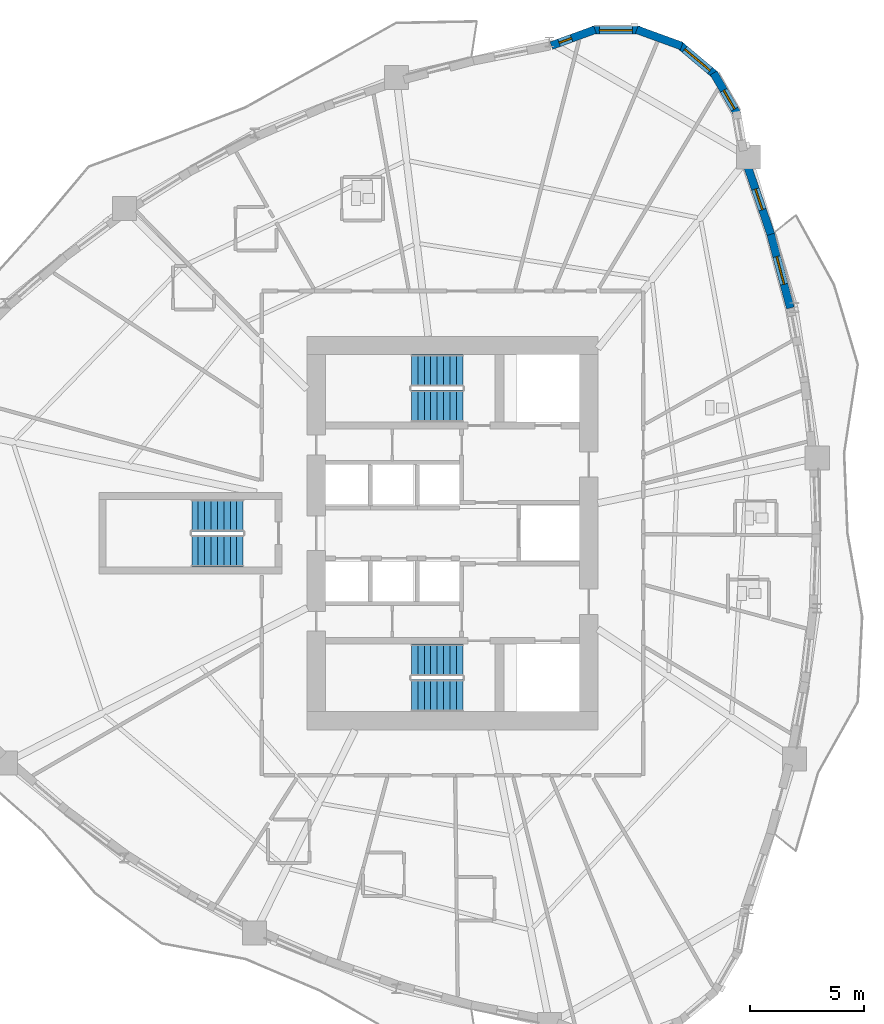
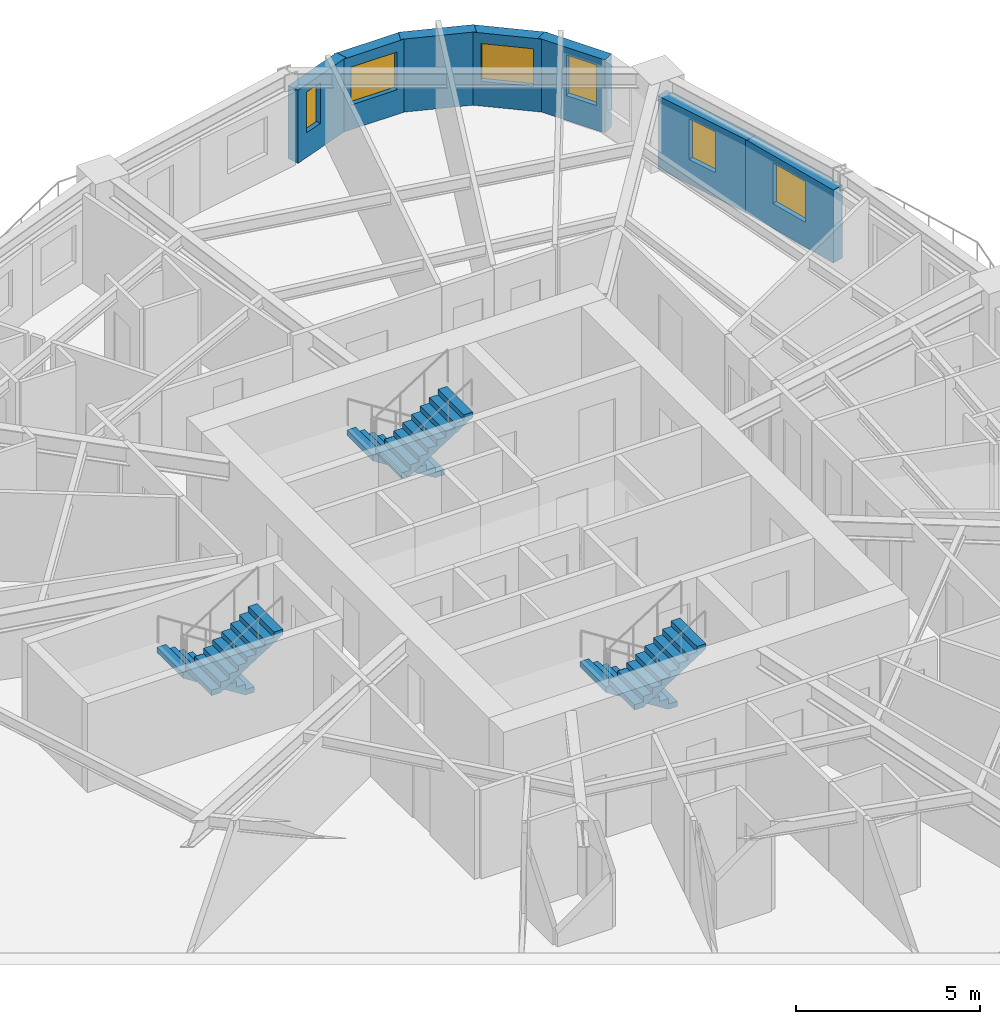
# One storey, part 9 of 13: 7 walls, 6 stair flights, 6 windows, 6 openings, 3 elements without a shape of their own.
"""IFC4 building model written with IfcOpenShell, lengths in metres."""

from ifc_helpers import new_model, si_unit, direction, frame, frame_2d, origin, place, context, subcontext, project, spatial, polyline, rectangle, outline, extrude, source, transform, mapped, material, layer, layer_set, type_object, element, fill, aggregate, save


model = new_model("IFC4")

# Units and contexts
model_context = context("Model", 3, precision=1e-05, world=origin(), true_north=direction((0.0, 1.0)))
body_context = subcontext(model_context, "Body", "Model", "MODEL_VIEW")
ifc_project = project(units=[si_unit("LENGTHUNIT", "METRE"), si_unit("AREAUNIT", "SQUARE_METRE"), si_unit("VOLUMEUNIT", "CUBIC_METRE"), si_unit("PLANEANGLEUNIT", "RADIAN"), si_unit("MASSUNIT", "GRAM", prefix="KILO")], contexts=[model_context])

# Site, building, storey
site_placement = place(None, origin())
site = spatial("IfcSite", under=ifc_project, at=site_placement, CompositionType="ELEMENT")
building_placement = place(site_placement, origin())
building = spatial("IfcBuilding", under=site, at=building_placement, Name="Qafzar Sky-Pleat Residences", CompositionType="ELEMENT")
storey_placement = place(building_placement, frame((0.0, 0.0, 49.39990234375)))
storey = spatial("IfcBuildingStorey", under=building, at=storey_placement, Name="L14", CompositionType="ELEMENT", Elevation=49.39990234375)

# Wall, opening, window
ifc_material_1 = material(Name="Precast concrete C40/50 with honed Riyadh limestone", Category="concrete")
ifc_layer = layer(ifc_material_1, 0.35009765625)
ifc_layer_set = layer_set([ifc_layer], Name="Precast concrete C40/50 with honed Riyadh limestone")
wall_type = type_object("IfcWallType", Name="WALL-EXT-350", PredefinedType="SOLIDWALL", material=ifc_layer_set)
wall_1_placement = place(storey_placement, frame((45.114501953125, 35.836669921875, 0.0), z_axis=(0.0, 0.0, 1.0), x_axis=(-0.257089380455, 0.966387629503, 0.0)))
wall_1 = element("IfcWall", 1, at=wall_1_placement, inside=storey, type_object=wall_type, Name="L14 Limestone Facade Wall 31", PredefinedType="SOLIDWALL", context=body_context, shape_type="SweptSolid", body=[
    extrude(rectangle(XDim=3.419677734375, YDim=0.35009765625, at=frame_2d((1.7099609375, 0.0))), origin(), (0.0, 0.0, 1.0), 2.420166015625),
])
opening_1_placement = place(wall_1_placement, frame((1.074951171875, 0.0, 0.820068359375)))
opening_1 = element("IfcOpeningElement", 2, at=opening_1_placement, cuts=wall_1, Name="Opening WN-11", PredefinedType="OPENING", context=body_context, shape_type="SweptSolid", body=[
    extrude(rectangle(XDim=1.25, YDim=1.35009765625, at=frame_2d((0.625, 0.675048828125))), frame((0.0, 0.18505859375, 0.0), z_axis=(0.0, -1.0, 0.0), x_axis=(1.0, 0.0, 0.0)), (0.0, 0.0, 1.0), 0.3701171875),
])
ifc_material_2 = material(Name="Solar-control low-E glass in bronze aluminium frame", Category="glass")
window_type_1 = type_object("IfcWindowType", Name="WIN-11", PartitioningType="SINGLE_PANEL", PredefinedType="WINDOW", material=ifc_material_2)
shared_shape_1 = source(origin(), body_context, "Body", "SweptSolid", [
    extrude(rectangle(XDim=1.25, YDim=1.35009765625, at=frame_2d((0.625, 0.675048828125))), frame((0.0, 0.030029296875, 0.0), z_axis=(0.0, -1.0, 0.0), x_axis=(1.0, 0.0, 0.0)), (0.0, 0.0, 1.0), 0.06005859375),
])
window_1_placement = place(opening_1_placement, origin())
window_1 = element("IfcWindow", 3, at=window_1_placement, inside=storey, type_object=window_type_1, Name="L14 Punched Facade Window 31", OverallHeight=1.35009765625, OverallWidth=1.25, PartitioningType="SINGLE_PANEL", PredefinedType="WINDOW", context=body_context, shape_type="MappedRepresentation", body=[
    mapped(shared_shape_1, transform((0.0, 0.0, 0.0), x_axis=(1.0, 0.0, 0.0), y_axis=(0.0, 1.0, 0.0), z_axis=(0.0, 0.0, 1.0), scale=1.0)),
])
fill(opening_1, window_1)

wall_2_placement = place(storey_placement, frame((44.260986328125, 39.05712890625, 0.0), z_axis=(0.0, 0.0, 1.0), x_axis=(-0.323605317701, 0.946192157205, 0.0)))
wall_2 = element("IfcWall", 4, at=wall_2_placement, inside=storey, type_object=wall_type, Name="L14 Limestone Facade Wall 32", PredefinedType="SOLIDWALL", context=body_context, shape_type="SweptSolid", body=[
    extrude(rectangle(XDim=3.21240234375, YDim=0.35009765625, at=frame_2d((1.606201171875, 0.0))), origin(), (0.0, 0.0, 1.0), 2.420166015625),
])
opening_2_placement = place(wall_2_placement, frame((1.13623046875, 0.0, 0.820068359375)))
opening_2 = element("IfcOpeningElement", 5, at=opening_2_placement, cuts=wall_2, Name="Opening WN-12", PredefinedType="OPENING", context=body_context, shape_type="SweptSolid", body=[
    extrude(rectangle(XDim=0.949951171875, YDim=1.35009765625, at=frame_2d((0.47509765625, 0.675048828125))), frame((0.0, 0.18505859375, 0.0), z_axis=(0.0, -1.0, 0.0), x_axis=(1.0, 0.0, 0.0)), (0.0, 0.0, 1.0), 0.3701171875),
])
window_type_2 = type_object("IfcWindowType", Name="WIN-12", PartitioningType="SINGLE_PANEL", PredefinedType="WINDOW", material=ifc_material_2)
shared_shape_2 = source(origin(), body_context, "Body", "SweptSolid", [
    extrude(rectangle(XDim=0.949951171875, YDim=1.35009765625, at=frame_2d((0.47509765625, 0.675048828125))), frame((0.0, 0.030029296875, 0.0), z_axis=(0.0, -1.0, 0.0), x_axis=(1.0, 0.0, 0.0)), (0.0, 0.0, 1.0), 0.06005859375),
])
window_2_placement = place(opening_2_placement, origin())
window_2 = element("IfcWindow", 6, at=window_2_placement, inside=storey, type_object=window_type_2, Name="L14 Punched Facade Window 32", OverallHeight=1.35009765625, OverallWidth=0.949951171875, PartitioningType="SINGLE_PANEL", PredefinedType="WINDOW", context=body_context, shape_type="MappedRepresentation", body=[
    mapped(shared_shape_2, transform((0.0, 0.0, 0.0), x_axis=(1.0, 0.0, 0.0), y_axis=(0.0, 1.0, 0.0), z_axis=(0.0, 0.0, 1.0), scale=1.0)),
])
fill(opening_2, window_2)

wall_3_placement = place(storey_placement, frame((42.8076171875, 44.300537109375, 0.0), z_axis=(0.0, 0.0, 1.0), x_axis=(-0.500046000743, 0.865998843614, 0.0)))
wall_3 = element("IfcWall", 7, at=wall_3_placement, inside=storey, type_object=wall_type, Name="L14 Limestone Facade Wall 34", PredefinedType="SOLIDWALL", context=body_context, shape_type="SweptSolid", body=[
    extrude(rectangle(XDim=2.090087890625, YDim=0.35009765625, at=frame_2d((1.044921875, 0.0))), origin(), (0.0, 0.0, 1.0), 2.420166015625),
])
opening_3_placement = place(wall_3_placement, frame((0.262939453125, 0.0, 0.820068359375)))
opening_3 = element("IfcOpeningElement", 8, at=opening_3_placement, cuts=wall_3, Name="Opening WN-12", PredefinedType="OPENING", context=body_context, shape_type="SweptSolid", body=[
    extrude(rectangle(XDim=0.949951171875, YDim=1.35009765625, at=frame_2d((0.47509765625, 0.675048828125))), frame((0.0, 0.18505859375, 0.0), z_axis=(0.0, -1.0, 0.0), x_axis=(1.0, 0.0, 0.0)), (0.0, 0.0, 1.0), 0.3701171875),
])
window_3_placement = place(opening_3_placement, origin())
window_3 = element("IfcWindow", 9, at=window_3_placement, inside=storey, type_object=window_type_2, Name="L14 Punched Facade Window 34", OverallHeight=1.35009765625, OverallWidth=0.949951171875, PartitioningType="SINGLE_PANEL", PredefinedType="WINDOW", context=body_context, shape_type="MappedRepresentation", body=[
    mapped(shared_shape_2, transform((0.0, 0.0, 0.0), x_axis=(1.0, 0.0, 0.0), y_axis=(0.0, 1.0, 0.0), z_axis=(0.0, 0.0, 1.0), scale=1.0)),
])
fill(opening_3, window_3)

wall_4_placement = place(storey_placement, frame((41.849609375, 46.0068359375, 0.0), z_axis=(0.0, 0.0, 1.0), x_axis=(-0.766024572719, 0.642811289563, 0.0)))
wall_4 = element("IfcWall", 10, at=wall_4_placement, inside=storey, type_object=wall_type, Name="L14 Limestone Facade Wall 35", PredefinedType="SOLIDWALL", context=body_context, shape_type="SweptSolid", body=[
    extrude(rectangle(XDim=2.09033203125, YDim=0.35009765625, at=frame_2d((1.045166015625, 0.0))), origin(), (0.0, 0.0, 1.0), 2.420166015625),
])
opening_4_placement = place(wall_4_placement, frame((0.3203125, 0.0, 0.820068359375)))
opening_4 = element("IfcOpeningElement", 11, at=opening_4_placement, cuts=wall_4, Name="Opening WN-15", PredefinedType="OPENING", context=body_context, shape_type="SweptSolid", body=[
    extrude(rectangle(XDim=1.449951171875, YDim=1.25, at=frame_2d((0.72509765625, 0.625))), frame((0.0, 0.18505859375, 0.0), z_axis=(0.0, -1.0, 0.0), x_axis=(1.0, 0.0, 0.0)), (0.0, 0.0, 1.0), 0.3701171875),
])
window_type_3 = type_object("IfcWindowType", Name="WIN-15", PartitioningType="SINGLE_PANEL", PredefinedType="WINDOW", material=ifc_material_2)
shared_shape_3 = source(origin(), body_context, "Body", "SweptSolid", [
    extrude(rectangle(XDim=1.449951171875, YDim=1.25, at=frame_2d((0.72509765625, 0.625))), frame((0.0, 0.030029296875, 0.0), z_axis=(0.0, -1.0, 0.0), x_axis=(1.0, 0.0, 0.0)), (0.0, 0.0, 1.0), 0.06005859375),
])
window_4_placement = place(opening_4_placement, origin())
window_4 = element("IfcWindow", 12, at=window_4_placement, inside=storey, type_object=window_type_3, Name="L14 Punched Facade Window 35", OverallHeight=1.25, OverallWidth=1.449951171875, PartitioningType="SINGLE_PANEL", PredefinedType="WINDOW", context=body_context, shape_type="MappedRepresentation", body=[
    mapped(shared_shape_3, transform((0.0, 0.0, 0.0), x_axis=(1.0, 0.0, 0.0), y_axis=(0.0, 1.0, 0.0), z_axis=(0.0, 0.0, 1.0), scale=1.0)),
])
fill(opening_4, window_4)

# Wall
wall_5_placement = place(storey_placement, frame((40.365966796875, 47.28271484375, 0.0), z_axis=(0.0, 0.0, 1.0), x_axis=(-0.939711556618, 0.341968113072, 0.0)))
element("IfcWall", 13, at=wall_5_placement, inside=storey, type_object=wall_type, Name="L14 Limestone Facade Wall 36", PredefinedType="SOLIDWALL", context=body_context, shape_type="SweptSolid", body=[
    extrude(rectangle(XDim=2.09033203125, YDim=0.35009765625, at=frame_2d((1.045166015625, 0.0))), origin(), (0.0, 0.0, 1.0), 2.420166015625),
])

# Wall, opening, window
wall_6_placement = place(storey_placement, frame((38.53515625, 47.97412109375, 0.0), z_axis=(0.0, 0.0, 1.0), x_axis=(-1.0, 0.0, 0.0)))
wall_6 = element("IfcWall", 14, at=wall_6_placement, inside=storey, type_object=wall_type, Name="L14 Limestone Facade Wall 37", PredefinedType="SOLIDWALL", context=body_context, shape_type="SweptSolid", body=[
    extrude(rectangle(XDim=2.09033203125, YDim=0.35009765625, at=frame_2d((1.045166015625, 0.0))), origin(), (0.0, 0.0, 1.0), 2.420166015625),
])
opening_5_placement = place(wall_6_placement, frame((0.3203125, 0.0, 0.820068359375)))
opening_5 = element("IfcOpeningElement", 15, at=opening_5_placement, cuts=wall_6, Name="Opening WN-15", PredefinedType="OPENING", context=body_context, shape_type="SweptSolid", body=[
    extrude(rectangle(XDim=1.449951171875, YDim=1.25, at=frame_2d((0.72509765625, 0.625))), frame((0.0, 0.18505859375, 0.0), z_axis=(0.0, -1.0, 0.0), x_axis=(1.0, 0.0, 0.0)), (0.0, 0.0, 1.0), 0.3701171875),
])
window_5_placement = place(opening_5_placement, origin())
window_5 = element("IfcWindow", 16, at=window_5_placement, inside=storey, type_object=window_type_3, Name="L14 Punched Facade Window 37", OverallHeight=1.25, OverallWidth=1.449951171875, PartitioningType="SINGLE_PANEL", PredefinedType="WINDOW", context=body_context, shape_type="MappedRepresentation", body=[
    mapped(shared_shape_3, transform((0.0, 0.0, 0.0), x_axis=(1.0, 0.0, 0.0), y_axis=(0.0, 1.0, 0.0), z_axis=(0.0, 0.0, 1.0), scale=1.0)),
])
fill(opening_5, window_5)

wall_7_placement = place(storey_placement, frame((36.578369140625, 47.99755859375, 0.0), z_axis=(0.0, 0.0, 1.0), x_axis=(-0.939691662178, -0.342022777067, 0.0)))
wall_7 = element("IfcWall", 17, at=wall_7_placement, inside=storey, type_object=wall_type, Name="L14 Limestone Facade Wall 38", PredefinedType="SOLIDWALL", context=body_context, shape_type="SweptSolid", body=[
    extrude(rectangle(XDim=2.0322265625, YDim=0.35009765625, at=frame_2d((1.01611328125, 0.0))), origin(), (0.0, 0.0, 1.0), 2.420166015625),
])
opening_6_placement = place(wall_7_placement, frame((1.09130859375, 0.0, 0.820068359375)))
opening_6 = element("IfcOpeningElement", 18, at=opening_6_placement, cuts=wall_7, Name="Opening WN-17", PredefinedType="OPENING", context=body_context, shape_type="SweptSolid", body=[
    extrude(rectangle(XDim=0.580078125, YDim=1.35009765625, at=frame_2d((0.2900390625, 0.675048828125))), frame((0.0, 0.18505859375, 0.0), z_axis=(0.0, -1.0, 0.0), x_axis=(1.0, 0.0, 0.0)), (0.0, 0.0, 1.0), 0.3701171875),
])
window_type_4 = type_object("IfcWindowType", Name="WIN-17", PartitioningType="SINGLE_PANEL", PredefinedType="WINDOW", material=ifc_material_2)
shared_shape_4 = source(origin(), body_context, "Body", "SweptSolid", [
    extrude(rectangle(XDim=0.580078125, YDim=1.35009765625, at=frame_2d((0.2900390625, 0.675048828125))), frame((0.0, 0.030029296875, 0.0), z_axis=(0.0, -1.0, 0.0), x_axis=(1.0, 0.0, 0.0)), (0.0, 0.0, 1.0), 0.06005859375),
])
window_6_placement = place(opening_6_placement, origin())
window_6 = element("IfcWindow", 19, at=window_6_placement, inside=storey, type_object=window_type_4, Name="L14 Punched Facade Window 38-2", OverallHeight=1.35009765625, OverallWidth=0.580078125, PartitioningType="SINGLE_PANEL", PredefinedType="WINDOW", context=body_context, shape_type="MappedRepresentation", body=[
    mapped(shared_shape_4, transform((0.0, 0.0, 0.0), x_axis=(1.0, 0.0, 0.0), y_axis=(0.0, 1.0, 0.0), z_axis=(0.0, 0.0, 1.0), scale=1.0)),
])
fill(opening_6, window_6)

# Stair, stair flights
ifc_material_3 = material(Name="Concrete C40/50", Category="concrete")
stair_type = type_object("IfcStairType", Name="STAIR-H320", PredefinedType="HALF_TURN_STAIR", material=ifc_material_3)
stair_1_placement = place(storey_placement, origin())
stair_1 = element("IfcStair", 20, at=stair_1_placement, inside=storey, type_object=stair_type, Name="L14 Protected Exit Stair ST1", PredefinedType="HALF_TURN_STAIR")
stair_flight_type = type_object("IfcStairFlightType", Name="FLIGHT-H320", PredefinedType="STRAIGHT", material=ifc_material_3)
shared_shape_5 = source(origin(), body_context, "Body", "SweptSolid", [
    extrude(outline(polyline([(0.0, 0.0), (0.0, 0.177734375), (0.280029296875, 0.177734375), (0.280029296875, 0.35546875), (0.56005859375, 0.35546875), (0.56005859375, 0.533447265625), (0.840087890625, 0.533447265625), (0.840087890625, 0.711181640625), (1.1201171875, 0.711181640625), (1.1201171875, 0.888916015625), (1.39990234375, 0.888916015625), (1.39990234375, 1.066650390625), (1.679931640625, 1.066650390625), (1.679931640625, 1.244384765625), (1.9599609375, 1.244384765625), (1.9599609375, 1.422119140625), (2.239990234375, 1.422119140625), (2.239990234375, 1.60009765625), (2.239990234375, 1.24462890625), (0.27978515625, 0.0), (0.0, 0.0)])), frame((0.0, 0.699951171875, 0.0), z_axis=(0.0, -1.0, 0.0), x_axis=(1.0, 0.0, 0.0)), (0.0, 0.0, 1.0), 1.39990234375),
])
stair_flight_1_placement = place(storey_placement, frame((30.800048828125, 20.449951171875, 0.0), z_axis=(0.0, 0.0, 1.0), x_axis=(-1.0, 0.0, 0.0)))
stair_flight_1 = element("IfcStairFlight", 21, at=stair_flight_1_placement, type_object=stair_flight_type, Name="ST1 flight 1", NumberOfRisers=9, NumberOfTreads=8, PredefinedType="STRAIGHT", RiserHeight=0.177777778, TreadLength=0.28, context=body_context, shape_type="MappedRepresentation", body=[
    mapped(shared_shape_5, transform((0.0, 0.0, 0.0), x_axis=(1.0, 0.0, 0.0), y_axis=(0.0, 1.0, 0.0), z_axis=(0.0, 0.0, 1.0), scale=1.0)),
])
stair_flight_2_placement = place(storey_placement, frame((28.56005859375, 18.89990234375, 1.60009765625), z_axis=(0.0, 0.0, 1.0), x_axis=(1.0, 0.0, 0.0)))
stair_flight_2 = element("IfcStairFlight", 22, at=stair_flight_2_placement, type_object=stair_flight_type, Name="ST1 flight 2", NumberOfRisers=9, NumberOfTreads=8, PredefinedType="STRAIGHT", RiserHeight=0.177777778, TreadLength=0.28, context=body_context, shape_type="MappedRepresentation", body=[
    mapped(shared_shape_5, transform((0.0, 0.0, 0.0), x_axis=(1.0, 0.0, 0.0), y_axis=(0.0, 1.0, 0.0), z_axis=(0.0, 0.0, 1.0), scale=1.0)),
])
aggregate(stair_1, [stair_flight_1, stair_flight_2])

stair_2_placement = place(storey_placement, origin())
stair_2 = element("IfcStair", 23, at=stair_2_placement, inside=storey, type_object=stair_type, Name="L14 Protected Exit Stair ST2", PredefinedType="HALF_TURN_STAIR")
stair_flight_3_placement = place(storey_placement, frame((30.800048828125, 33.10009765625, 0.0), z_axis=(0.0, 0.0, 1.0), x_axis=(-1.0, 0.0, 0.0)))
stair_flight_3 = element("IfcStairFlight", 24, at=stair_flight_3_placement, type_object=stair_flight_type, Name="ST2 flight 1", NumberOfRisers=9, NumberOfTreads=8, PredefinedType="STRAIGHT", RiserHeight=0.177777778, TreadLength=0.28, context=body_context, shape_type="MappedRepresentation", body=[
    mapped(shared_shape_5, transform((0.0, 0.0, 0.0), x_axis=(1.0, 0.0, 0.0), y_axis=(0.0, 1.0, 0.0), z_axis=(0.0, 0.0, 1.0), scale=1.0)),
])
stair_flight_4_placement = place(storey_placement, frame((28.56005859375, 31.550048828125, 1.60009765625), z_axis=(0.0, 0.0, 1.0), x_axis=(1.0, 0.0, 0.0)))
stair_flight_4 = element("IfcStairFlight", 25, at=stair_flight_4_placement, type_object=stair_flight_type, Name="ST2 flight 2", NumberOfRisers=9, NumberOfTreads=8, PredefinedType="STRAIGHT", RiserHeight=0.177777778, TreadLength=0.28, context=body_context, shape_type="MappedRepresentation", body=[
    mapped(shared_shape_5, transform((0.0, 0.0, 0.0), x_axis=(1.0, 0.0, 0.0), y_axis=(0.0, 1.0, 0.0), z_axis=(0.0, 0.0, 1.0), scale=1.0)),
])
aggregate(stair_2, [stair_flight_3, stair_flight_4])

stair_3_placement = place(storey_placement, origin())
stair_3 = element("IfcStair", 26, at=stair_3_placement, inside=storey, type_object=stair_type, Name="L14 Protected Exit Stair ST3", PredefinedType="HALF_TURN_STAIR")
stair_flight_5_placement = place(storey_placement, frame((21.199951171875, 26.77490234375, 0.0), z_axis=(0.0, 0.0, 1.0), x_axis=(-1.0, 0.0, 0.0)))
stair_flight_5 = element("IfcStairFlight", 27, at=stair_flight_5_placement, type_object=stair_flight_type, Name="ST3 flight 1", NumberOfRisers=9, NumberOfTreads=8, PredefinedType="STRAIGHT", RiserHeight=0.177777778, TreadLength=0.28, context=body_context, shape_type="MappedRepresentation", body=[
    mapped(shared_shape_5, transform((0.0, 0.0, 0.0), x_axis=(1.0, 0.0, 0.0), y_axis=(0.0, 1.0, 0.0), z_axis=(0.0, 0.0, 1.0), scale=1.0)),
])
stair_flight_6_placement = place(storey_placement, frame((18.9599609375, 25.22509765625, 1.60009765625), z_axis=(0.0, 0.0, 1.0), x_axis=(1.0, 0.0, 0.0)))
stair_flight_6 = element("IfcStairFlight", 28, at=stair_flight_6_placement, type_object=stair_flight_type, Name="ST3 flight 2", NumberOfRisers=9, NumberOfTreads=8, PredefinedType="STRAIGHT", RiserHeight=0.177777778, TreadLength=0.28, context=body_context, shape_type="MappedRepresentation", body=[
    mapped(shared_shape_5, transform((0.0, 0.0, 0.0), x_axis=(1.0, 0.0, 0.0), y_axis=(0.0, 1.0, 0.0), z_axis=(0.0, 0.0, 1.0), scale=1.0)),
])
aggregate(stair_3, [stair_flight_5, stair_flight_6])

save(model, "model.ifc")
